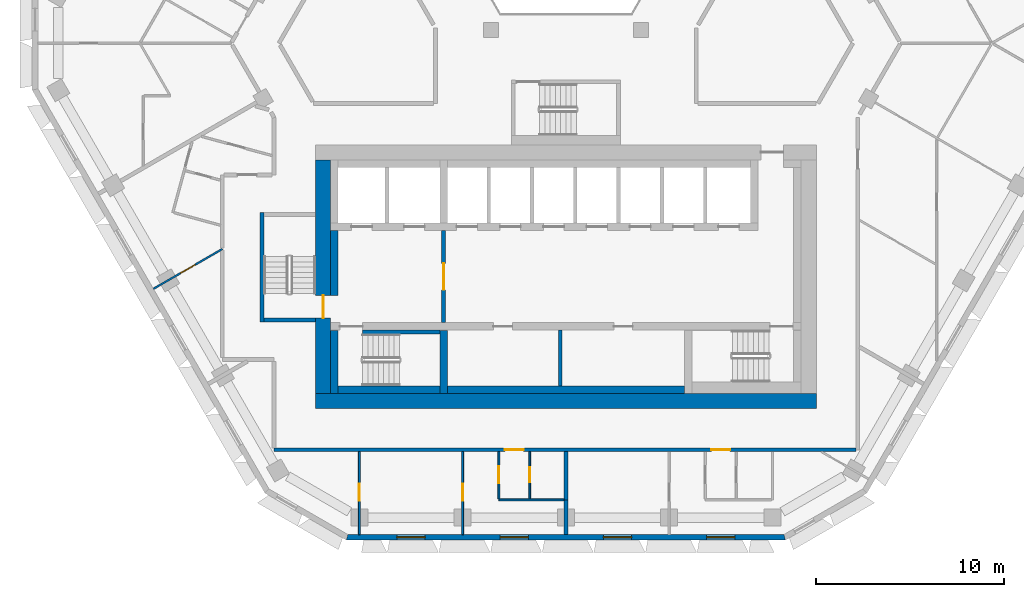
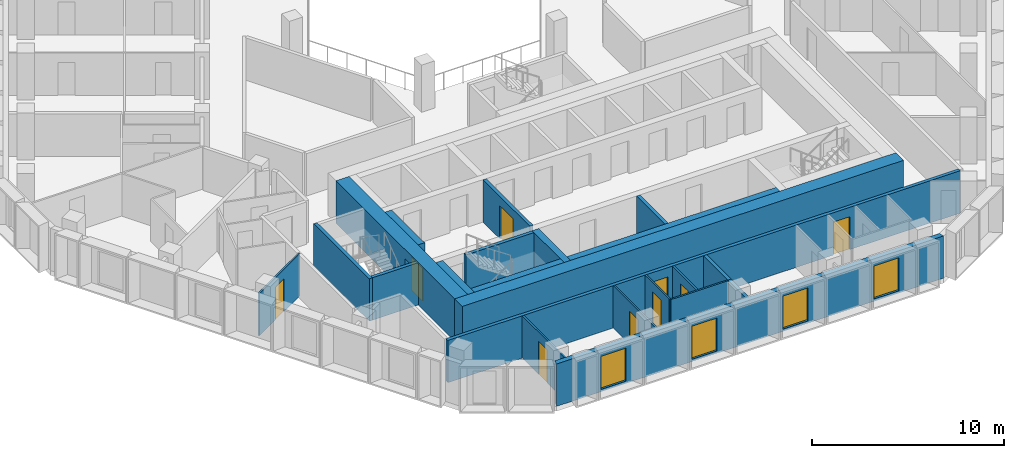
# One storey, part 3 of 15: 22 walls, 9 doors, 4 windows, 13 openings.
"""IFC4 building model written with IfcOpenShell, lengths in metres."""

from ifc_helpers import new_model, si_unit, direction, frame, frame_2d, origin, place, context, subcontext, project, spatial, polyline, rectangle, outline, extrude, material, layer, layer_set, type_object, element, fill, save


model = new_model("IFC4")

# Units and contexts
model_context = context("Model", 3, precision=1e-05, world=origin(), true_north=direction((0.0, 1.0)))
body_context = subcontext(model_context, "Body", "Model", "MODEL_VIEW")
ifc_project = project(units=[si_unit("LENGTHUNIT", "METRE"), si_unit("AREAUNIT", "SQUARE_METRE"), si_unit("VOLUMEUNIT", "CUBIC_METRE"), si_unit("PLANEANGLEUNIT", "RADIAN"), si_unit("MASSUNIT", "GRAM", prefix="KILO")], contexts=[model_context])

# Site, building, storey
site_placement = place(None, origin())
site = spatial("IfcSite", under=ifc_project, at=site_placement, CompositionType="ELEMENT")
building_placement = place(site_placement, origin())
building = spatial("IfcBuilding", under=site, at=building_placement, Name="Beryl Residences", CompositionType="ELEMENT")
storey_placement = place(building_placement, frame((0.0, 0.0, 123.60009765625)))
storey = spatial("IfcBuildingStorey", under=building, at=storey_placement, Name="L37", CompositionType="ELEMENT", Elevation=123.60009765625)

# Wall, openings, windows
ifc_material_1 = material(Name="Composite metal panel with mineral wool insulation")
ifc_layer_1 = layer(ifc_material_1, 0.300048828125)
ifc_layer_set_1 = layer_set([ifc_layer_1], Name="ES1 pale metal composite panel wall 300 mm")
wall_type_1 = type_object("IfcWallType", Name="ES1 pale metal composite panel wall 300 mm", PredefinedType="SOLIDWALL", material=ifc_layer_set_1)
wall_1_placement = place(storey_placement, frame((-11.662109375, -25.85009765625, 0.0), z_axis=(0.0, 0.0, 1.0), x_axis=(1.0, 0.0, 0.0)))
wall_1 = element("IfcWall", 1, at=wall_1_placement, inside=storey, type_object=wall_type_1, Name="ES1 external wall L37 S", PredefinedType="SOLIDWALL", context=body_context, shape_type="SweptSolid", body=[
    extrude(outline(polyline([(0.0, -0.14990234375), (23.32421875, -0.14990234375), (23.243896484375, 0.14990234375), (0.080322265625, 0.14990234375), (0.0, -0.14990234375)])), origin(), (0.0, 0.0, 1.0), 2.699951171875),
])
opening_1_placement = place(wall_1_placement, frame((2.68603515625, 0.0, 0.14990234375)))
opening_1 = element("IfcOpeningElement", 2, at=opening_1_placement, cuts=wall_1, Name="Opening W1", PredefinedType="OPENING", context=body_context, shape_type="SweptSolid", body=[
    extrude(rectangle(XDim=1.5, YDim=2.10009765625, at=frame_2d((0.75, 1.050048828125))), frame((0.0, 0.159912109375, 0.0), z_axis=(0.0, -1.0, 0.0), x_axis=(1.0, 0.0, 0.0)), (0.0, 0.0, 1.0), 0.320068359375),
])
opening_2_placement = place(wall_1_placement, frame((8.169921875, 0.0, 0.14990234375)))
opening_2 = element("IfcOpeningElement", 3, at=opening_2_placement, cuts=wall_1, Name="Opening W1", PredefinedType="OPENING", context=body_context, shape_type="SweptSolid", body=[
    extrude(rectangle(XDim=1.5, YDim=2.10009765625, at=frame_2d((0.75, 1.050048828125))), frame((0.0, 0.159912109375, 0.0), z_axis=(0.0, -1.0, 0.0), x_axis=(1.0, 0.0, 0.0)), (0.0, 0.0, 1.0), 0.320068359375),
])
opening_3_placement = place(wall_1_placement, frame((13.656005859375, 0.0, 0.14990234375)))
opening_3 = element("IfcOpeningElement", 4, at=opening_3_placement, cuts=wall_1, Name="Opening W1", PredefinedType="OPENING", context=body_context, shape_type="SweptSolid", body=[
    extrude(rectangle(XDim=1.5, YDim=2.10009765625, at=frame_2d((0.75, 1.050048828125))), frame((0.0, 0.159912109375, 0.0), z_axis=(0.0, -1.0, 0.0), x_axis=(1.0, 0.0, 0.0)), (0.0, 0.0, 1.0), 0.320068359375),
])
opening_4_placement = place(wall_1_placement, frame((19.14111328125, 0.0, 0.14990234375)))
opening_4 = element("IfcOpeningElement", 5, at=opening_4_placement, cuts=wall_1, Name="Opening W1", PredefinedType="OPENING", context=body_context, shape_type="SweptSolid", body=[
    extrude(rectangle(XDim=1.5, YDim=2.10009765625, at=frame_2d((0.75, 1.050048828125))), frame((0.0, 0.159912109375, 0.0), z_axis=(0.0, -1.0, 0.0), x_axis=(1.0, 0.0, 0.0)), (0.0, 0.0, 1.0), 0.320068359375),
])
ifc_material_2 = material(Name="Aluminium and clear glass", Category="aluminium")
window_type = type_object("IfcWindowType", Name="W1 cell window 1500 x 2100 mm", PartitioningType="SINGLE_PANEL", PredefinedType="WINDOW", material=ifc_material_2)
window_1_placement = place(opening_1_placement, origin())
window_1 = element("IfcWindow", 6, at=window_1_placement, inside=storey, type_object=window_type, Name="W1 window L37 S 2", OverallHeight=2.10009765625, OverallWidth=1.5, PartitioningType="SINGLE_PANEL", PredefinedType="WINDOW", context=body_context, shape_type="SweptSolid", body=[
    extrude(rectangle(XDim=1.5, YDim=2.10009765625, at=frame_2d((0.75, 1.050048828125))), frame((0.0, 0.030029296875, 0.0), z_axis=(0.0, -1.0, 0.0), x_axis=(1.0, 0.0, 0.0)), (0.0, 0.0, 1.0), 0.06005859375),
])
fill(opening_1, window_1)
window_2_placement = place(opening_2_placement, origin())
window_2 = element("IfcWindow", 7, at=window_2_placement, inside=storey, type_object=window_type, Name="W1 window L37 S 4", OverallHeight=2.10009765625, OverallWidth=1.5, PartitioningType="SINGLE_PANEL", PredefinedType="WINDOW", context=body_context, shape_type="SweptSolid", body=[
    extrude(rectangle(XDim=1.5, YDim=2.10009765625, at=frame_2d((0.75, 1.050048828125))), frame((0.0, 0.030029296875, 0.0), z_axis=(0.0, -1.0, 0.0), x_axis=(1.0, 0.0, 0.0)), (0.0, 0.0, 1.0), 0.06005859375),
])
fill(opening_2, window_2)
window_3_placement = place(opening_3_placement, origin())
window_3 = element("IfcWindow", 8, at=window_3_placement, inside=storey, type_object=window_type, Name="W1 window L37 S 6", OverallHeight=2.10009765625, OverallWidth=1.5, PartitioningType="SINGLE_PANEL", PredefinedType="WINDOW", context=body_context, shape_type="SweptSolid", body=[
    extrude(rectangle(XDim=1.5, YDim=2.10009765625, at=frame_2d((0.75, 1.050048828125))), frame((0.0, 0.030029296875, 0.0), z_axis=(0.0, -1.0, 0.0), x_axis=(1.0, 0.0, 0.0)), (0.0, 0.0, 1.0), 0.06005859375),
])
fill(opening_3, window_3)
window_4_placement = place(opening_4_placement, origin())
window_4 = element("IfcWindow", 9, at=window_4_placement, inside=storey, type_object=window_type, Name="W1 window L37 S 8", OverallHeight=2.10009765625, OverallWidth=1.5, PartitioningType="SINGLE_PANEL", PredefinedType="WINDOW", context=body_context, shape_type="SweptSolid", body=[
    extrude(rectangle(XDim=1.5, YDim=2.10009765625, at=frame_2d((0.75, 1.050048828125))), frame((0.0, 0.030029296875, 0.0), z_axis=(0.0, -1.0, 0.0), x_axis=(1.0, 0.0, 0.0)), (0.0, 0.0, 1.0), 0.06005859375),
])
fill(opening_4, window_4)

# Wall, opening, door
ifc_material_3 = material(Name="Gypsum board partition on steel studs", Category="steel")
ifc_layer_2 = layer(ifc_material_3, 0.10009765625)
ifc_layer_set_2 = layer_set([ifc_layer_2], Name="PT1 partition 100 mm gypsum board on steel studs")
wall_type_2 = type_object("IfcWallType", Name="PT1 partition 100 mm gypsum board on steel studs", PredefinedType="PARTITIONING", material=ifc_layer_set_2)
wall_2_placement = place(storey_placement, frame((-3.56396484375, -21.300048828125, 0.0), z_axis=(0.0, 0.0, 1.0), x_axis=(0.0, -1.0, 0.0)))
wall_2 = element("IfcWall", 10, at=wall_2_placement, inside=storey, type_object=wall_type_2, Name="Wall PT1 L37 006", PredefinedType="PARTITIONING", context=body_context, shape_type="SweptSolid", body=[
    extrude(rectangle(XDim=2.509033203125, YDim=0.10009765625, at=frame_2d((1.25439453125, 0.0))), origin(), (0.0, 0.0, 1.0), 2.699951171875),
])
opening_5_placement = place(wall_2_placement, frame((0.780029296875, 0.0, 0.0)))
opening_5 = element("IfcOpeningElement", 11, at=opening_5_placement, cuts=wall_2, Name="Opening D1202", PredefinedType="OPENING", context=body_context, shape_type="SweptSolid", body=[
    extrude(rectangle(XDim=0.89990234375, YDim=2.10009765625, at=frame_2d((0.449951171875, 1.050048828125))), frame((0.0, 0.06005859375, 0.0), z_axis=(0.0, -1.0, 0.0), x_axis=(1.0, 0.0, 0.0)), (0.0, 0.0, 1.0), 0.1201171875),
])
ifc_material_4 = material(Name="Timber door leaf", Category="wood")
door_type_1 = type_object("IfcDoorType", Name="D2 room door 900 x 2100 mm", OperationType="SINGLE_SWING_LEFT", PredefinedType="DOOR", material=ifc_material_4)
door_1_placement = place(opening_5_placement, origin())
door_1 = element("IfcDoor", 12, at=door_1_placement, inside=storey, type_object=door_type_1, Name="Door D1202 L37 001", OperationType="SINGLE_SWING_RIGHT", OverallHeight=2.10009765625, OverallWidth=0.89990234375, PredefinedType="DOOR", context=body_context, shape_type="SweptSolid", body=[
    extrude(rectangle(XDim=0.89990234375, YDim=2.10009765625, at=frame_2d((0.449951171875, 1.050048828125))), frame((0.0, 0.02490234375, 0.0), z_axis=(0.0, -1.0, 0.0), x_axis=(1.0, 0.0, 0.0)), (0.0, 0.0, 1.0), 0.050048828125),
])
fill(opening_5, door_1)

# Wall
wall_3_placement = place(storey_placement, frame((-3.56298828125, -23.860107421875, 0.0), z_axis=(0.0, 0.0, 1.0), x_axis=(1.0, 0.0, 0.0)))
element("IfcWall", 13, at=wall_3_placement, inside=storey, type_object=wall_type_2, Name="Wall PT1 L37 020", PredefinedType="PARTITIONING", context=body_context, shape_type="SweptSolid", body=[
    extrude(rectangle(XDim=3.4638671875, YDim=0.10009765625, at=frame_2d((1.73193359375, 0.0))), origin(), (0.0, 0.0, 1.0), 2.699951171875),
])

# Wall, opening, door
wall_4_placement = place(storey_placement, frame((-5.48388671875, -25.699951171875, 0.0), z_axis=(0.0, 0.0, 1.0), x_axis=(0.0, 1.0, 0.0)))
wall_4 = element("IfcWall", 14, at=wall_4_placement, inside=storey, type_object=wall_type_2, Name="Wall PT1 L37 044", PredefinedType="PARTITIONING", context=body_context, shape_type="SweptSolid", body=[
    extrude(rectangle(XDim=4.39990234375, YDim=0.10009765625, at=frame_2d((2.199951171875, 0.0))), origin(), (0.0, 0.0, 1.0), 2.699951171875),
])
opening_6_placement = place(wall_4_placement, frame((1.800048828125, 0.0, 0.0)))
opening_6 = element("IfcOpeningElement", 15, at=opening_6_placement, cuts=wall_4, Name="Opening D1204", PredefinedType="OPENING", context=body_context, shape_type="SweptSolid", body=[
    extrude(rectangle(XDim=0.89990234375, YDim=2.10009765625, at=frame_2d((0.449951171875, 1.050048828125))), frame((0.0, 0.06005859375, 0.0), z_axis=(0.0, -1.0, 0.0), x_axis=(1.0, 0.0, 0.0)), (0.0, 0.0, 1.0), 0.1201171875),
])
door_2_placement = place(opening_6_placement, origin())
door_2 = element("IfcDoor", 16, at=door_2_placement, inside=storey, type_object=door_type_1, Name="Door D1204 L37 001", OperationType="SINGLE_SWING_RIGHT", OverallHeight=2.10009765625, OverallWidth=0.89990234375, PredefinedType="DOOR", context=body_context, shape_type="SweptSolid", body=[
    extrude(rectangle(XDim=0.89990234375, YDim=2.10009765625, at=frame_2d((0.449951171875, 1.050048828125))), frame((0.0, 0.02490234375, 0.0), z_axis=(0.0, -1.0, 0.0), x_axis=(1.0, 0.0, 0.0)), (0.0, 0.0, 1.0), 0.050048828125),
])
fill(opening_6, door_2)

wall_5_placement = place(storey_placement, frame((-10.968994140625, -25.699951171875, 0.0), z_axis=(0.0, 0.0, 1.0), x_axis=(0.0, 1.0, 0.0)))
wall_5 = element("IfcWall", 17, at=wall_5_placement, inside=storey, type_object=wall_type_2, Name="Wall PT1 L37 046", PredefinedType="PARTITIONING", context=body_context, shape_type="SweptSolid", body=[
    extrude(rectangle(XDim=4.39990234375, YDim=0.10009765625, at=frame_2d((2.199951171875, 0.0))), origin(), (0.0, 0.0, 1.0), 2.699951171875),
])
opening_7_placement = place(wall_5_placement, frame((1.800048828125, 0.0, 0.0)))
opening_7 = element("IfcOpeningElement", 18, at=opening_7_placement, cuts=wall_5, Name="Opening D1205", PredefinedType="OPENING", context=body_context, shape_type="SweptSolid", body=[
    extrude(rectangle(XDim=0.89990234375, YDim=2.10009765625, at=frame_2d((0.449951171875, 1.050048828125))), frame((0.0, 0.06005859375, 0.0), z_axis=(0.0, -1.0, 0.0), x_axis=(1.0, 0.0, 0.0)), (0.0, 0.0, 1.0), 0.1201171875),
])
door_3_placement = place(opening_7_placement, origin())
door_3 = element("IfcDoor", 19, at=door_3_placement, inside=storey, type_object=door_type_1, Name="Door D1205 L37 001", OperationType="SINGLE_SWING_LEFT", OverallHeight=2.10009765625, OverallWidth=0.89990234375, PredefinedType="DOOR", context=body_context, shape_type="SweptSolid", body=[
    extrude(rectangle(XDim=0.89990234375, YDim=2.10009765625, at=frame_2d((0.449951171875, 1.050048828125))), frame((0.0, 0.02490234375, 0.0), z_axis=(0.0, -1.0, 0.0), x_axis=(1.0, 0.0, 0.0)), (0.0, 0.0, 1.0), 0.050048828125),
])
fill(opening_7, door_3)

wall_6_placement = place(storey_placement, frame((-1.9189453125, -23.81005859375, 0.0), z_axis=(0.0, 0.0, 1.0), x_axis=(0.0, 1.0, 0.0)))
wall_6 = element("IfcWall", 20, at=wall_6_placement, inside=storey, type_object=wall_type_2, Name="Wall PT1 L37 047", PredefinedType="PARTITIONING", context=body_context, shape_type="SweptSolid", body=[
    extrude(rectangle(XDim=2.510009765625, YDim=0.10009765625, at=frame_2d((1.2548828125, 0.0))), origin(), (0.0, 0.0, 1.0), 2.699951171875),
])
opening_8_placement = place(wall_6_placement, frame((0.8798828125, 0.0, 0.0)))
opening_8 = element("IfcOpeningElement", 21, at=opening_8_placement, cuts=wall_6, Name="Opening D1203", PredefinedType="OPENING", context=body_context, shape_type="SweptSolid", body=[
    extrude(rectangle(XDim=0.800048828125, YDim=2.10009765625, at=frame_2d((0.39990234375, 1.050048828125))), frame((0.0, 0.06005859375, 0.0), z_axis=(0.0, -1.0, 0.0), x_axis=(1.0, 0.0, 0.0)), (0.0, 0.0, 1.0), 0.1201171875),
])
ifc_material_5 = material(Name="Timber door leaf", Category="wood")
door_type_2 = type_object("IfcDoorType", Name="D3 bathroom door 800 x 2100 mm", OperationType="SINGLE_SWING_LEFT", PredefinedType="DOOR", material=ifc_material_5)
door_4_placement = place(opening_8_placement, origin())
door_4 = element("IfcDoor", 22, at=door_4_placement, inside=storey, type_object=door_type_2, Name="Door D1203 L37 001", OperationType="SINGLE_SWING_LEFT", OverallHeight=2.10009765625, OverallWidth=0.800048828125, PredefinedType="DOOR", context=body_context, shape_type="SweptSolid", body=[
    extrude(rectangle(XDim=0.800048828125, YDim=2.10009765625, at=frame_2d((0.39990234375, 1.050048828125))), frame((0.0, 0.02490234375, 0.0), z_axis=(0.0, -1.0, 0.0), x_axis=(1.0, 0.0, 0.0)), (0.0, 0.0, 1.0), 0.050048828125),
])
fill(opening_8, door_4)

wall_7_placement = place(storey_placement, frame((-21.910888671875, -12.64892578125, 0.0), z_axis=(0.0, 0.0, 1.0), x_axis=(0.865984571374, 0.500070717141, 0.0)))
wall_7 = element("IfcWall", 23, at=wall_7_placement, inside=storey, type_object=wall_type_2, Name="Wall PT1 L37 050", PredefinedType="PARTITIONING", context=body_context, shape_type="SweptSolid", body=[
    extrude(rectangle(XDim=4.2275390625, YDim=0.10009765625, at=frame_2d((2.11376953125, 0.0))), origin(), (0.0, 0.0, 1.0), 2.699951171875),
])
opening_9_placement = place(wall_7_placement, frame((1.6640625, 0.0, 0.0)))
opening_9 = element("IfcOpeningElement", 24, at=opening_9_placement, cuts=wall_7, Name="Opening D1253", PredefinedType="OPENING", context=body_context, shape_type="SweptSolid", body=[
    extrude(rectangle(XDim=0.89990234375, YDim=2.10009765625, at=frame_2d((0.449951171875, 1.050048828125))), frame((0.0, 0.06005859375, 0.0), z_axis=(0.0, -1.0, 0.0), x_axis=(1.0, 0.0, 0.0)), (0.0, 0.0, 1.0), 0.1201171875),
])
door_5_placement = place(opening_9_placement, origin())
door_5 = element("IfcDoor", 25, at=door_5_placement, inside=storey, type_object=door_type_1, Name="Door D1253 L37 001", OperationType="SINGLE_SWING_LEFT", OverallHeight=2.10009765625, OverallWidth=0.89990234375, PredefinedType="DOOR", context=body_context, shape_type="SweptSolid", body=[
    extrude(rectangle(XDim=0.89990234375, YDim=2.10009765625, at=frame_2d((0.449951171875, 1.050048828125))), frame((0.0, 0.02490234375, 0.0), z_axis=(0.0, -1.0, 0.0), x_axis=(1.0, 0.0, 0.0)), (0.0, 0.0, 1.0), 0.050048828125),
])
fill(opening_9, door_5)

ifc_material_6 = material(Name="Concrete masonry", Category="masonry")
ifc_layer_3 = layer(ifc_material_6, 0.199951171875)
ifc_layer_set_3 = layer_set([ifc_layer_3], Name="PT13 lobby wall 200 mm")
wall_type_3 = type_object("IfcWallType", Name="PT13 lobby wall 200 mm", PredefinedType="PARTITIONING", material=ifc_layer_set_3)
wall_8_placement = place(storey_placement, frame((-6.5, -14.449951171875, 0.0), z_axis=(0.0, 0.0, 1.0), x_axis=(0.0, 1.0, 0.0)))
wall_8 = element("IfcWall", 26, at=wall_8_placement, inside=storey, type_object=wall_type_3, Name="Lobby wall 11", PredefinedType="PARTITIONING", context=body_context, shape_type="SweptSolid", body=[
    extrude(rectangle(XDim=4.89990234375, YDim=0.199951171875, at=frame_2d((2.449951171875, 0.0))), origin(), (0.0, 0.0, 1.0), 2.699951171875),
])
opening_10_placement = place(wall_8_placement, frame((3.14990234375, 0.0, 0.0), z_axis=(0.0, 0.0, 1.0), x_axis=(-1.0, 0.0, 0.0)))
opening_10 = element("IfcOpeningElement", 27, at=opening_10_placement, cuts=wall_8, Name="Opening FD-FFL", PredefinedType="OPENING", context=body_context, shape_type="SweptSolid", body=[
    extrude(rectangle(XDim=1.39990234375, YDim=2.10009765625, at=frame_2d((0.699951171875, 1.050048828125))), frame((0.0, 0.10986328125, 0.0), z_axis=(0.0, -1.0, 0.0), x_axis=(1.0, 0.0, 0.0)), (0.0, 0.0, 1.0), 0.219970703125),
])
ifc_material_7 = material(Name="Steel door leaf in steel frame", Category="steel")
door_type_3 = type_object("IfcDoorType", Name="D5 lobby door 1400 x 2100 mm", OperationType="DOUBLE_DOOR_SINGLE_SWING", PredefinedType="DOOR", material=ifc_material_7)
door_6_placement = place(opening_10_placement, origin())
door_6 = element("IfcDoor", 28, at=door_6_placement, inside=storey, type_object=door_type_3, Name="Door FD-FFL L37 001", OperationType="DOUBLE_DOOR_SINGLE_SWING", OverallHeight=2.10009765625, OverallWidth=1.39990234375, PredefinedType="DOOR", context=body_context, shape_type="SweptSolid", body=[
    extrude(rectangle(XDim=1.39990234375, YDim=2.10009765625, at=frame_2d((0.699951171875, 1.050048828125))), frame((0.0, 0.02490234375, 0.0), z_axis=(0.0, -1.0, 0.0), x_axis=(1.0, 0.0, 0.0)), (0.0, 0.0, 1.0), 0.050048828125),
])
fill(opening_10, door_6)

# Walls
ifc_material_8 = material(Name="Concrete masonry", Category="masonry")
ifc_layer_4 = layer(ifc_material_8, 0.39990234375)
ifc_layer_set_4 = layer_set([ifc_layer_4], Name="PT13-400 lobby wall 400 mm")
wall_type_4 = type_object("IfcWallType", Name="PT13-400 lobby wall 400 mm", PredefinedType="PARTITIONING", material=ifc_layer_set_4)
wall_9_placement = place(storey_placement, frame((-12.300048828125, -13.0, 0.0), z_axis=(0.0, 0.0, 1.0), x_axis=(0.0, 1.0, 0.0)))
element("IfcWall", 29, at=wall_9_placement, inside=storey, type_object=wall_type_4, Name="Lobby wall 05", PredefinedType="PARTITIONING", context=body_context, shape_type="SweptSolid", body=[
    extrude(rectangle(XDim=3.449951171875, YDim=0.39990234375, at=frame_2d((1.72509765625, 0.0))), origin(), (0.0, 0.0, 1.0), 2.699951171875),
])
ifc_material_9 = material(Name="Acoustic double stud gypsum board wall")
ifc_layer_5 = layer(ifc_material_9, 0.199951171875)
ifc_layer_set_5 = layer_set([ifc_layer_5], Name="PT3 party wall 200 mm acoustic double stud")
wall_type_5 = type_object("IfcWallType", Name="PT3 party wall 200 mm acoustic double stud", PredefinedType="PARTITIONING", material=ifc_layer_set_5)
wall_10_placement = place(storey_placement, frame((0.0009765625, -23.860107421875, 0.0), z_axis=(0.0, 0.0, 1.0), x_axis=(0.0, -1.0, 0.0)))
element("IfcWall", 30, at=wall_10_placement, inside=storey, type_object=wall_type_5, Name="Wall PT3 L37 003", PredefinedType="PARTITIONING", context=body_context, shape_type="SweptSolid", body=[
    extrude(rectangle(XDim=1.83984375, YDim=0.199951171875, at=frame_2d((0.919921875, 0.0))), origin(), (0.0, 0.0, 1.0), 2.699951171875),
])
wall_11_placement = place(storey_placement, frame((0.0009765625, -23.860107421875, 0.0), z_axis=(0.0, 0.0, 1.0), x_axis=(0.0, 1.0, 0.0)))
element("IfcWall", 31, at=wall_11_placement, inside=storey, type_object=wall_type_5, Name="Wall PT3 L37 010", PredefinedType="PARTITIONING", context=body_context, shape_type="SweptSolid", body=[
    extrude(rectangle(XDim=2.56005859375, YDim=0.199951171875, at=frame_2d((1.280029296875, 0.0))), origin(), (0.0, 0.0, 1.0), 2.699951171875),
])

# Wall, openings, doors
ifc_material_10 = material(Name="Double stud gypsum board wall")
ifc_layer_6 = layer(ifc_material_10, 0.199951171875)
ifc_layer_set_6 = layer_set([ifc_layer_6], Name="PT4 corridor wall 200 mm double stud")
wall_type_6 = type_object("IfcWallType", Name="PT4 corridor wall 200 mm double stud", PredefinedType="PARTITIONING", material=ifc_layer_set_6)
wall_12_placement = place(storey_placement, frame((-15.4990234375, -21.199951171875, 0.0), z_axis=(0.0, 0.0, 1.0), x_axis=(1.0, 0.0, 0.0)))
wall_12 = element("IfcWall", 32, at=wall_12_placement, inside=storey, type_object=wall_type_6, Name="Wall PT4 L37 012", PredefinedType="PARTITIONING", context=body_context, shape_type="SweptSolid", body=[
    extrude(rectangle(XDim=30.89794921875, YDim=0.199951171875, at=frame_2d((15.448974609375, 0.0))), origin(), (0.0, 0.0, 1.0), 2.699951171875),
])
opening_11_placement = place(wall_12_placement, frame((12.258056640625, 0.0, 0.0)))
opening_11 = element("IfcOpeningElement", 33, at=opening_11_placement, cuts=wall_12, Name="Opening D1201", PredefinedType="OPENING", context=body_context, shape_type="SweptSolid", body=[
    extrude(rectangle(XDim=1.0, YDim=2.10009765625, at=frame_2d((0.5, 1.050048828125))), frame((0.0, 0.10986328125, 0.0), z_axis=(0.0, -1.0, 0.0), x_axis=(1.0, 0.0, 0.0)), (0.0, 0.0, 1.0), 0.219970703125),
])
opening_12_placement = place(wall_12_placement, frame((23.22802734375, 0.0, 0.0)))
opening_12 = element("IfcOpeningElement", 34, at=opening_12_placement, cuts=wall_12, Name="Opening D1206", PredefinedType="OPENING", context=body_context, shape_type="SweptSolid", body=[
    extrude(rectangle(XDim=1.0, YDim=2.10009765625, at=frame_2d((0.5, 1.050048828125))), frame((0.0, 0.10986328125, 0.0), z_axis=(0.0, -1.0, 0.0), x_axis=(1.0, 0.0, 0.0)), (0.0, 0.0, 1.0), 0.219970703125),
])
ifc_material_11 = material(Name="Timber door leaf", Category="wood")
door_type_4 = type_object("IfcDoorType", Name="D1 flat entrance door 1000 x 2100 mm", OperationType="SINGLE_SWING_LEFT", PredefinedType="DOOR", material=ifc_material_11)
door_7_placement = place(opening_11_placement, origin())
door_7 = element("IfcDoor", 35, at=door_7_placement, inside=storey, type_object=door_type_4, Name="Door D1201 L37 001", OperationType="SINGLE_SWING_LEFT", OverallHeight=2.10009765625, OverallWidth=1.0, PredefinedType="DOOR", context=body_context, shape_type="SweptSolid", body=[
    extrude(rectangle(XDim=1.0, YDim=2.10009765625, at=frame_2d((0.5, 1.050048828125))), frame((0.0, 0.02490234375, 0.0), z_axis=(0.0, -1.0, 0.0), x_axis=(1.0, 0.0, 0.0)), (0.0, 0.0, 1.0), 0.050048828125),
])
fill(opening_11, door_7)
door_8_placement = place(opening_12_placement, origin())
door_8 = element("IfcDoor", 36, at=door_8_placement, inside=storey, type_object=door_type_4, Name="Door D1206 L37 001", OperationType="SINGLE_SWING_RIGHT", OverallHeight=2.10009765625, OverallWidth=1.0, PredefinedType="DOOR", context=body_context, shape_type="SweptSolid", body=[
    extrude(rectangle(XDim=1.0, YDim=2.10009765625, at=frame_2d((0.5, 1.050048828125))), frame((0.0, 0.02490234375, 0.0), z_axis=(0.0, -1.0, 0.0), x_axis=(1.0, 0.0, 0.0)), (0.0, 0.0, 1.0), 0.050048828125),
])
fill(opening_12, door_8)

# Walls
ifc_material_12 = material(Name="Concrete C40/50", Category="concrete")
ifc_layer_7 = layer(ifc_material_12, 0.199951171875)
ifc_layer_set_7 = layer_set([ifc_layer_7], Name="PT5 stair enclosure wall 200 mm reinforced concrete C40/50")
wall_type_7 = type_object("IfcWallType", Name="PT5 stair enclosure wall 200 mm reinforced concrete C40/50", PredefinedType="SOLIDWALL", material=ifc_layer_set_7)
wall_13_placement = place(storey_placement, frame((-16.14990234375, -14.39990234375, 0.0), z_axis=(0.0, 0.0, 1.0), x_axis=(0.0, 1.0, 0.0)))
element("IfcWall", 37, at=wall_13_placement, inside=storey, type_object=wall_type_7, Name="Stair wall 01", PredefinedType="SOLIDWALL", context=body_context, shape_type="SweptSolid", body=[
    extrude(rectangle(XDim=5.7998046875, YDim=0.199951171875, at=frame_2d((2.89990234375, 0.0))), origin(), (0.0, 0.0, 1.0), 2.699951171875),
])
wall_14_placement = place(storey_placement, frame((-16.050048828125, -14.300048828125, 0.0), z_axis=(0.0, 0.0, 1.0), x_axis=(1.0, 0.0, 0.0)))
element("IfcWall", 38, at=wall_14_placement, inside=storey, type_object=wall_type_7, Name="Stair wall 02", PredefinedType="SOLIDWALL", context=body_context, shape_type="SweptSolid", body=[
    extrude(rectangle(XDim=2.75, YDim=0.199951171875, at=frame_2d((1.375, 0.0))), origin(), (0.0, 0.0, 1.0), 2.699951171875),
])
wall_15_placement = place(storey_placement, frame((-10.800048828125, -14.949951171875, 0.0), z_axis=(0.0, 0.0, 1.0), x_axis=(1.0, 0.0, 0.0)))
element("IfcWall", 39, at=wall_15_placement, inside=storey, type_object=wall_type_7, Name="Stair wall 09", PredefinedType="SOLIDWALL", context=body_context, shape_type="SweptSolid", body=[
    extrude(rectangle(XDim=4.10009765625, YDim=0.199951171875, at=frame_2d((2.050048828125, 0.0))), origin(), (0.0, 0.0, 1.0), 2.699951171875),
])
ifc_material_13 = material(Name="Concrete C40/50", Category="concrete")
ifc_layer_8 = layer(ifc_material_13, 0.39990234375)
ifc_layer_set_8 = layer_set([ifc_layer_8], Name="PT5-400 stair enclosure wall 400 mm")
wall_type_8 = type_object("IfcWallType", Name="PT5-400 stair enclosure wall 400 mm", PredefinedType="SOLIDWALL", material=ifc_layer_set_8)
wall_16_placement = place(storey_placement, frame((-12.300048828125, -18.199951171875, 0.0), z_axis=(0.0, 0.0, 1.0), x_axis=(0.0, 1.0, 0.0)))
element("IfcWall", 40, at=wall_16_placement, inside=storey, type_object=wall_type_8, Name="Stair wall 04", PredefinedType="SOLIDWALL", context=body_context, shape_type="SweptSolid", body=[
    extrude(rectangle(XDim=3.349853515625, YDim=0.39990234375, at=frame_2d((1.6748046875, 0.0))), origin(), (0.0, 0.0, 1.0), 2.699951171875),
])
wall_17_placement = place(storey_placement, frame((-12.10009765625, -18.0, 0.0), z_axis=(0.0, 0.0, 1.0), x_axis=(1.0, 0.0, 0.0)))
element("IfcWall", 41, at=wall_17_placement, inside=storey, type_object=wall_type_8, Name="Stair wall 07", PredefinedType="SOLIDWALL", context=body_context, shape_type="SweptSolid", body=[
    extrude(rectangle(XDim=5.400146484375, YDim=0.39990234375, at=frame_2d((2.7001953125, 0.0))), origin(), (0.0, 0.0, 1.0), 2.699951171875),
])
ifc_material_14 = material(Name="Concrete masonry", Category="masonry")
ifc_layer_9 = layer(ifc_material_14, 0.199951171875)
ifc_layer_set_9 = layer_set([ifc_layer_9], Name="PT8-200 service room wall 200 mm")
wall_type_9 = type_object("IfcWallType", Name="PT8-200 service room wall 200 mm", PredefinedType="PARTITIONING", material=ifc_layer_set_9)
wall_18_placement = place(storey_placement, frame((-0.300048828125, -17.800048828125, 0.0), z_axis=(0.0, 0.0, 1.0), x_axis=(0.0, 1.0, 0.0)))
element("IfcWall", 42, at=wall_18_placement, inside=storey, type_object=wall_type_9, Name="Core room wall 16", PredefinedType="PARTITIONING", context=body_context, shape_type="SweptSolid", body=[
    extrude(rectangle(XDim=2.949951171875, YDim=0.199951171875, at=frame_2d((1.47509765625, 0.0))), origin(), (0.0, 0.0, 1.0), 2.699951171875),
])
ifc_material_15 = material(Name="Concrete masonry", Category="masonry")
ifc_layer_10 = layer(ifc_material_15, 0.39990234375)
ifc_layer_set_10 = layer_set([ifc_layer_10], Name="PT8-400 service room wall 400 mm")
wall_type_10 = type_object("IfcWallType", Name="PT8-400 service room wall 400 mm", PredefinedType="PARTITIONING", material=ifc_layer_set_10)
wall_19_placement = place(storey_placement, frame((-6.300048828125, -18.0, 0.0), z_axis=(0.0, 0.0, 1.0), x_axis=(1.0, 0.0, 0.0)))
element("IfcWall", 43, at=wall_19_placement, inside=storey, type_object=wall_type_10, Name="Core room wall 12", PredefinedType="PARTITIONING", context=body_context, shape_type="SweptSolid", body=[
    extrude(rectangle(XDim=12.60009765625, YDim=0.39990234375, at=frame_2d((6.300048828125, 0.0))), origin(), (0.0, 0.0, 1.0), 2.699951171875),
])
ifc_material_16 = material(Name="Concrete C60/75", Category="concrete")
ifc_layer_11 = layer(ifc_material_16, 0.800048828125)
ifc_layer_set_11 = layer_set([ifc_layer_11], Name="SW3 core outer wall 800 mm C60/75")
wall_type_11 = type_object("IfcWallType", Name="SW3 core outer wall 800 mm C60/75", PredefinedType="SHEAR", material=ifc_layer_set_11)
wall_20_placement = place(storey_placement, frame((-13.300048828125, -18.60009765625, 0.0), z_axis=(0.0, 0.0, 1.0), x_axis=(1.0, 0.0, 0.0)))
element("IfcWall", 44, at=wall_20_placement, inside=storey, type_object=wall_type_11, Name="Core wall S L37", PredefinedType="SHEAR", context=body_context, shape_type="SweptSolid", body=[
    extrude(rectangle(XDim=26.60009765625, YDim=0.800048828125, at=frame_2d((13.300048828125, 0.0))), origin(), (0.0, 0.0, 1.0), 2.699951171875),
])

# Wall, opening, door
wall_21_placement = place(storey_placement, frame((-12.89990234375, -18.199951171875, 0.0), z_axis=(0.0, 0.0, 1.0), x_axis=(0.0, 1.0, 0.0)))
wall_21 = element("IfcWall", 45, at=wall_21_placement, inside=storey, type_object=wall_type_11, Name="Core wall W L37", PredefinedType="SHEAR", context=body_context, shape_type="SweptSolid", body=[
    extrude(rectangle(XDim=12.39990234375, YDim=0.800048828125, at=frame_2d((6.199951171875, 0.0))), origin(), (0.0, 0.0, 1.0), 2.699951171875),
])
opening_13_placement = place(wall_21_placement, frame((4.0, 0.0, 0.0)))
opening_13 = element("IfcOpeningElement", 46, at=opening_13_placement, cuts=wall_21, Name="Opening SD-2", PredefinedType="OPENING", context=body_context, shape_type="SweptSolid", body=[
    extrude(rectangle(XDim=1.199951171875, YDim=2.10009765625, at=frame_2d((0.60009765625, 1.050048828125))), frame((0.0, 0.409912109375, 0.0), z_axis=(0.0, -1.0, 0.0), x_axis=(1.0, 0.0, 0.0)), (0.0, 0.0, 1.0), 0.820068359375),
])
ifc_material_17 = material(Name="Steel door leaf in steel frame", Category="steel")
door_type_5 = type_object("IfcDoorType", Name="D4 stair door 1200 x 2100 mm", OperationType="SINGLE_SWING_LEFT", PredefinedType="DOOR", material=ifc_material_17)
door_9_placement = place(opening_13_placement, origin())
door_9 = element("IfcDoor", 47, at=door_9_placement, inside=storey, type_object=door_type_5, Name="Door SD-2 L37 001", OperationType="SINGLE_SWING_RIGHT", OverallHeight=2.10009765625, OverallWidth=1.199951171875, PredefinedType="DOOR", context=body_context, shape_type="SweptSolid", body=[
    extrude(rectangle(XDim=1.199951171875, YDim=2.10009765625, at=frame_2d((0.60009765625, 1.050048828125))), frame((0.0, 0.02490234375, 0.0), z_axis=(0.0, -1.0, 0.0), x_axis=(1.0, 0.0, 0.0)), (0.0, 0.0, 1.0), 0.050048828125),
])
fill(opening_13, door_9)

# Wall
ifc_material_18 = material(Name="Concrete C60/75", Category="concrete")
ifc_layer_12 = layer(ifc_material_18, 0.39990234375)
ifc_layer_set_12 = layer_set([ifc_layer_12], Name="SW8 core internal wall 400 mm C60/75")
wall_type_12 = type_object("IfcWallType", Name="SW8 core internal wall 400 mm C60/75", PredefinedType="SHEAR", material=ifc_layer_set_12)
wall_22_placement = place(storey_placement, frame((-6.5, -18.199951171875, 0.0), z_axis=(0.0, 0.0, 1.0), x_axis=(0.0, 1.0, 0.0)))
element("IfcWall", 48, at=wall_22_placement, inside=storey, type_object=wall_type_12, Name="Core wall XS1 L37", PredefinedType="SHEAR", context=body_context, shape_type="SweptSolid", body=[
    extrude(rectangle(XDim=3.349853515625, YDim=0.39990234375, at=frame_2d((1.6748046875, 0.0))), origin(), (0.0, 0.0, 1.0), 2.699951171875),
])

save(model, "model.ifc")
